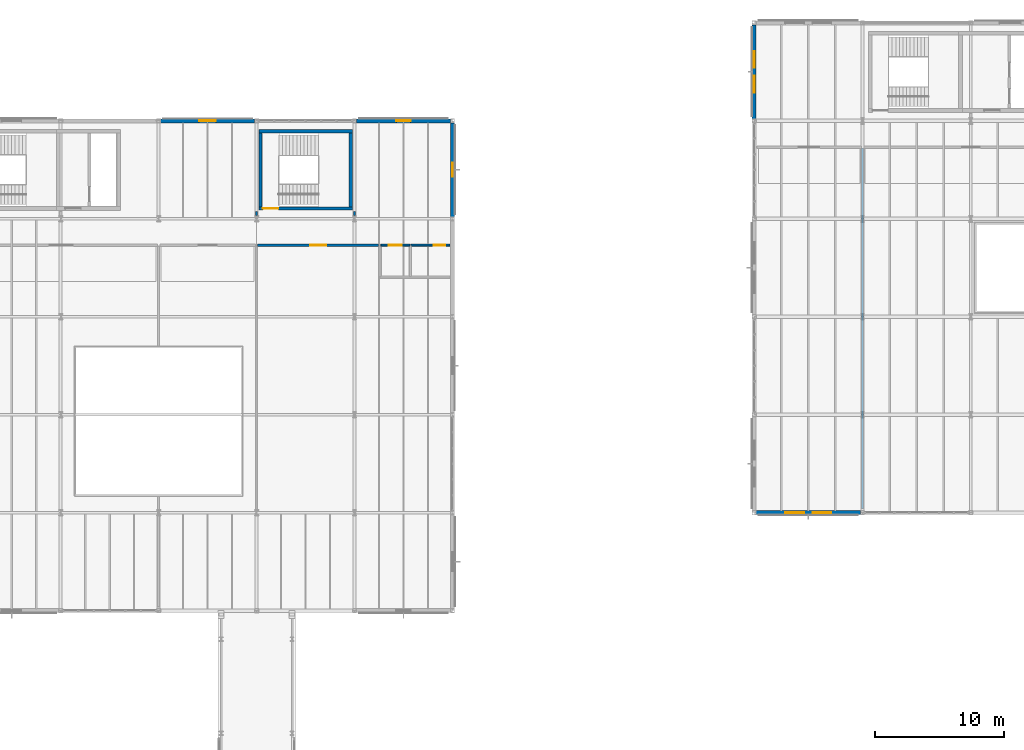
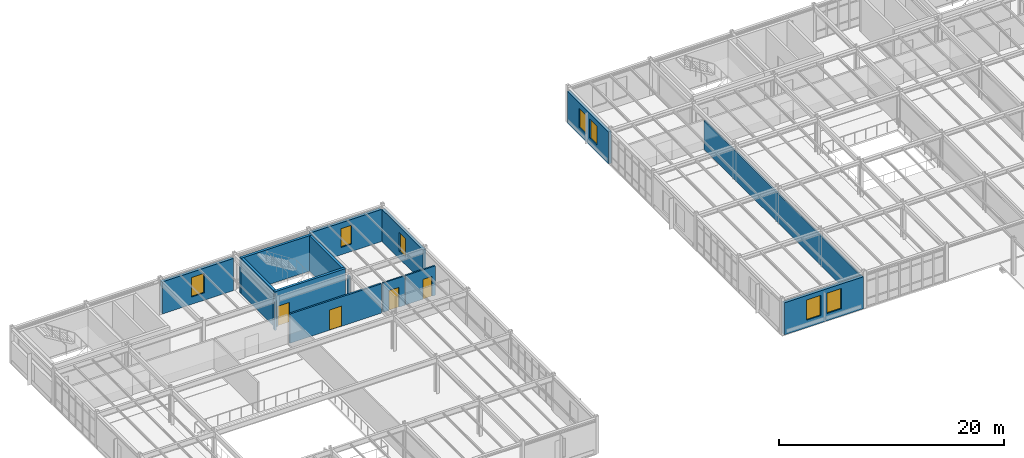
# One storey, part 138 of 165: 15 walls, 7 windows, 4 doors, 11 openings.
"""IFC4 building model written with IfcOpenShell, lengths in metres."""

from ifc_helpers import new_model, si_unit, direction, frame, frame_2d, origin, place, context, subcontext, project, spatial, rectangle, extrude, material, layer, layer_set, type_object, element, fill, save


model = new_model("IFC4")

# Units and contexts
model_context = context("Model", 3, precision=1e-05, world=origin(), true_north=direction((0.0, 1.0)))
body_context = subcontext(model_context, "Body", "Model", "MODEL_VIEW")
ifc_project = project(units=[si_unit("LENGTHUNIT", "METRE"), si_unit("AREAUNIT", "SQUARE_METRE"), si_unit("VOLUMEUNIT", "CUBIC_METRE"), si_unit("PLANEANGLEUNIT", "RADIAN"), si_unit("MASSUNIT", "GRAM", prefix="KILO")], contexts=[model_context])

# Site, building, storey
site_placement = place(None, origin())
site = spatial("IfcSite", under=ifc_project, at=site_placement, CompositionType="ELEMENT")
building_placement = place(site_placement, origin())
building = spatial("IfcBuilding", under=site, at=building_placement, Name="Montecoro Central Library", CompositionType="ELEMENT")
storey_placement = place(building_placement, frame((0.0, 0.0, 5.10009765625)))
storey = spatial("IfcBuildingStorey", under=building, at=storey_placement, Name="L01", CompositionType="ELEMENT", Elevation=5.10009765625)

# Wall, openings, windows
ifc_material_1 = material(Name="Roman travertine stone clad concrete C35/45", Category="masonry")
ifc_layer_1 = layer(ifc_material_1, 0.31005859375)
ifc_layer_set_1 = layer_set([ifc_layer_1], Name="Roman travertine stone clad concrete C35/45")
wall_type_1 = type_object("IfcWallType", Name="EW-TRV-310", PredefinedType="SOLIDWALL", material=ifc_layer_set_1)
wall_1_placement = place(storey_placement, frame((66.552978515625, 81.0, 0.0), z_axis=(0.0, 0.0, 1.0), x_axis=(1.0, 0.0, 0.0)))
wall_1 = element("IfcWall", 1, at=wall_1_placement, inside=storey, type_object=wall_type_1, Name="V2-L01-EW-S0", PredefinedType="SOLIDWALL", context=body_context, shape_type="SweptSolid", body=[
    extrude(rectangle(XDim=8.093994140625, YDim=0.31005859375, at=frame_2d((4.046875, 0.0))), origin(), (0.0, 0.0, 1.0), 3.47998046875),
])
opening_1_placement = place(wall_1_placement, frame((2.27197265625, 0.0, 0.800048828125)))
opening_1 = element("IfcOpeningElement", 2, at=opening_1_placement, cuts=wall_1, Name="Opening WN-07", PredefinedType="OPENING", context=body_context, shape_type="SweptSolid", body=[
    extrude(rectangle(XDim=1.449951171875, YDim=2.199951171875, at=frame_2d((0.72509765625, 1.10009765625))), frame((0.0, 0.1650390625, 0.0), z_axis=(0.0, -1.0, 0.0), x_axis=(1.0, 0.0, 0.0)), (0.0, 0.0, 1.0), 0.330078125),
])
opening_2_placement = place(wall_1_placement, frame((4.3720703125, 0.0, 0.800048828125)))
opening_2 = element("IfcOpeningElement", 3, at=opening_2_placement, cuts=wall_1, Name="Opening WN-07", PredefinedType="OPENING", context=body_context, shape_type="SweptSolid", body=[
    extrude(rectangle(XDim=1.449951171875, YDim=2.199951171875, at=frame_2d((0.72509765625, 1.10009765625))), frame((0.0, 0.1650390625, 0.0), z_axis=(0.0, -1.0, 0.0), x_axis=(1.0, 0.0, 0.0)), (0.0, 0.0, 1.0), 0.330078125),
])
ifc_material_2 = material(Name="Laminated low-E double glazing", Category="glass")
window_type_1 = type_object("IfcWindowType", Name="WN-RDG-145", PartitioningType="SINGLE_PANEL", PredefinedType="WINDOW", material=ifc_material_2)
window_1_placement = place(opening_1_placement, origin())
window_1 = element("IfcWindow", 4, at=window_1_placement, inside=storey, type_object=window_type_1, Name="V2-L01-WN-S0-1", OverallHeight=2.199951171875, OverallWidth=1.449951171875, PartitioningType="SINGLE_PANEL", PredefinedType="WINDOW", context=body_context, shape_type="SweptSolid", body=[
    extrude(rectangle(XDim=1.449951171875, YDim=2.199951171875, at=frame_2d((0.72509765625, 1.10009765625))), frame((0.0, 0.030029296875, 0.0), z_axis=(0.0, -1.0, 0.0), x_axis=(1.0, 0.0, 0.0)), (0.0, 0.0, 1.0), 0.06005859375),
])
fill(opening_1, window_1)
window_2_placement = place(opening_2_placement, origin())
window_2 = element("IfcWindow", 5, at=window_2_placement, inside=storey, type_object=window_type_1, Name="V2-L01-WN-S0-2", OverallHeight=2.199951171875, OverallWidth=1.449951171875, PartitioningType="SINGLE_PANEL", PredefinedType="WINDOW", context=body_context, shape_type="SweptSolid", body=[
    extrude(rectangle(XDim=1.449951171875, YDim=2.199951171875, at=frame_2d((0.72509765625, 1.10009765625))), frame((0.0, 0.030029296875, 0.0), z_axis=(0.0, -1.0, 0.0), x_axis=(1.0, 0.0, 0.0)), (0.0, 0.0, 1.0), 0.06005859375),
])
fill(opening_2, window_2)

wall_2_placement = place(storey_placement, frame((66.39990234375, 118.846923828125, 0.0), z_axis=(0.0, 0.0, 1.0), x_axis=(0.0, -1.0, 0.0)))
wall_2 = element("IfcWall", 6, at=wall_2_placement, inside=storey, type_object=wall_type_1, Name="V2-L01-EW-W4", PredefinedType="SOLIDWALL", context=body_context, shape_type="SweptSolid", body=[
    extrude(rectangle(XDim=7.2939453125, YDim=0.31005859375, at=frame_2d((3.64697265625, 0.0))), origin(), (0.0, 0.0, 1.0), 3.47998046875),
])
opening_3_placement = place(wall_2_placement, frame((2.0419921875, 0.0, 0.800048828125)))
opening_3 = element("IfcOpeningElement", 7, at=opening_3_placement, cuts=wall_2, Name="Opening WN-23", PredefinedType="OPENING", context=body_context, shape_type="SweptSolid", body=[
    extrude(rectangle(XDim=1.280029296875, YDim=2.080078125, at=frame_2d((0.64013671875, 1.0400390625))), frame((0.0, 0.1650390625, 0.0), z_axis=(0.0, -1.0, 0.0), x_axis=(1.0, 0.0, 0.0)), (0.0, 0.0, 1.0), 0.330078125),
])
opening_4_placement = place(wall_2_placement, frame((3.971923828125, 0.0, 0.800048828125)))
opening_4 = element("IfcOpeningElement", 8, at=opening_4_placement, cuts=wall_2, Name="Opening WN-23", PredefinedType="OPENING", context=body_context, shape_type="SweptSolid", body=[
    extrude(rectangle(XDim=1.280029296875, YDim=2.080078125, at=frame_2d((0.64013671875, 1.0400390625))), frame((0.0, 0.1650390625, 0.0), z_axis=(0.0, -1.0, 0.0), x_axis=(1.0, 0.0, 0.0)), (0.0, 0.0, 1.0), 0.330078125),
])
window_type_2 = type_object("IfcWindowType", Name="WN-RDG-128", PartitioningType="SINGLE_PANEL", PredefinedType="WINDOW", material=ifc_material_2)
window_3_placement = place(opening_3_placement, origin())
window_3 = element("IfcWindow", 9, at=window_3_placement, inside=storey, type_object=window_type_2, Name="V2-L01-WN-W4-1", OverallHeight=2.080078125, OverallWidth=1.280029296875, PartitioningType="SINGLE_PANEL", PredefinedType="WINDOW", context=body_context, shape_type="SweptSolid", body=[
    extrude(rectangle(XDim=1.280029296875, YDim=2.080078125, at=frame_2d((0.64013671875, 1.0400390625))), frame((0.0, 0.030029296875, 0.0), z_axis=(0.0, -1.0, 0.0), x_axis=(1.0, 0.0, 0.0)), (0.0, 0.0, 1.0), 0.06005859375),
])
fill(opening_3, window_3)
window_4_placement = place(opening_4_placement, origin())
window_4 = element("IfcWindow", 10, at=window_4_placement, inside=storey, type_object=window_type_2, Name="V2-L01-WN-W4-2", OverallHeight=2.080078125, OverallWidth=1.280029296875, PartitioningType="SINGLE_PANEL", PredefinedType="WINDOW", context=body_context, shape_type="SweptSolid", body=[
    extrude(rectangle(XDim=1.280029296875, YDim=2.080078125, at=frame_2d((0.64013671875, 1.0400390625))), frame((0.0, 0.030029296875, 0.0), z_axis=(0.0, -1.0, 0.0), x_axis=(1.0, 0.0, 0.0)), (0.0, 0.0, 1.0), 0.06005859375),
])
fill(opening_4, window_4)

# Wall, opening, window
wall_3_placement = place(storey_placement, frame((43.0, 103.952880859375, 0.0), z_axis=(0.0, 0.0, 1.0), x_axis=(0.0, 1.0, 0.0)))
wall_3 = element("IfcWall", 11, at=wall_3_placement, inside=storey, type_object=wall_type_1, Name="V4-L01-EW-E4", PredefinedType="SOLIDWALL", context=body_context, shape_type="SweptSolid", body=[
    extrude(rectangle(XDim=7.294189453125, YDim=0.31005859375, at=frame_2d((3.64697265625, 0.0))), origin(), (0.0, 0.0, 1.0), 3.47998046875),
])
opening_5_placement = place(wall_3_placement, frame((3.096923828125, 0.0, 0.800048828125)))
opening_5 = element("IfcOpeningElement", 12, at=opening_5_placement, cuts=wall_3, Name="Opening WN-14", PredefinedType="OPENING", context=body_context, shape_type="SweptSolid", body=[
    extrude(rectangle(XDim=1.10009765625, YDim=2.050048828125, at=frame_2d((0.550048828125, 1.02490234375))), frame((0.0, 0.1650390625, 0.0), z_axis=(0.0, -1.0, 0.0), x_axis=(1.0, 0.0, 0.0)), (0.0, 0.0, 1.0), 0.330078125),
])
ifc_material_3 = material(Name="Acoustic laminated double glazing", Category="glass")
window_type_3 = type_object("IfcWindowType", Name="WN-AUD-110", PartitioningType="SINGLE_PANEL", PredefinedType="WINDOW", material=ifc_material_3)
window_5_placement = place(opening_5_placement, origin())
window_5 = element("IfcWindow", 13, at=window_5_placement, inside=storey, type_object=window_type_3, Name="V4-L01-WN-E4-1", OverallHeight=2.050048828125, OverallWidth=1.10009765625, PartitioningType="SINGLE_PANEL", PredefinedType="WINDOW", context=body_context, shape_type="SweptSolid", body=[
    extrude(rectangle(XDim=1.10009765625, YDim=2.050048828125, at=frame_2d((0.550048828125, 1.02490234375))), frame((0.0, 0.030029296875, 0.0), z_axis=(0.0, -1.0, 0.0), x_axis=(1.0, 0.0, 0.0)), (0.0, 0.0, 1.0), 0.06005859375),
])
fill(opening_5, window_5)

wall_4_placement = place(storey_placement, frame((42.846923828125, 111.39990234375, 0.0), z_axis=(0.0, 0.0, 1.0), x_axis=(-1.0, 0.0, 0.0)))
wall_4 = element("IfcWall", 14, at=wall_4_placement, inside=storey, type_object=wall_type_1, Name="V4-L01-EW-N4", PredefinedType="SOLIDWALL", context=body_context, shape_type="SweptSolid", body=[
    extrude(rectangle(XDim=7.2939453125, YDim=0.31005859375, at=frame_2d((3.64697265625, 0.0))), origin(), (0.0, 0.0, 1.0), 3.47998046875),
])
opening_6_placement = place(wall_4_placement, frame((3.096923828125, 0.0, 0.800048828125)))
opening_6 = element("IfcOpeningElement", 15, at=opening_6_placement, cuts=wall_4, Name="Opening WN-14", PredefinedType="OPENING", context=body_context, shape_type="SweptSolid", body=[
    extrude(rectangle(XDim=1.10009765625, YDim=2.050048828125, at=frame_2d((0.550048828125, 1.02490234375))), frame((0.0, 0.1650390625, 0.0), z_axis=(0.0, -1.0, 0.0), x_axis=(1.0, 0.0, 0.0)), (0.0, 0.0, 1.0), 0.330078125),
])
window_6_placement = place(opening_6_placement, origin())
window_6 = element("IfcWindow", 16, at=window_6_placement, inside=storey, type_object=window_type_3, Name="V4-L01-WN-N4-1", OverallHeight=2.050048828125, OverallWidth=1.10009765625, PartitioningType="SINGLE_PANEL", PredefinedType="WINDOW", context=body_context, shape_type="SweptSolid", body=[
    extrude(rectangle(XDim=1.10009765625, YDim=2.050048828125, at=frame_2d((0.550048828125, 1.02490234375))), frame((0.0, 0.030029296875, 0.0), z_axis=(0.0, -1.0, 0.0), x_axis=(1.0, 0.0, 0.0)), (0.0, 0.0, 1.0), 0.06005859375),
])
fill(opening_6, window_6)

wall_5_placement = place(storey_placement, frame((27.64697265625, 111.39990234375, 0.0), z_axis=(0.0, 0.0, 1.0), x_axis=(-1.0, 0.0, 0.0)))
wall_5 = element("IfcWall", 17, at=wall_5_placement, inside=storey, type_object=wall_type_1, Name="V4-L01-EW-N2", PredefinedType="SOLIDWALL", context=body_context, shape_type="SweptSolid", body=[
    extrude(rectangle(XDim=7.2939453125, YDim=0.31005859375, at=frame_2d((3.64697265625, 0.0))), origin(), (0.0, 0.0, 1.0), 3.47998046875),
])
opening_7_placement = place(wall_5_placement, frame((2.9970703125, 0.0, 0.800048828125)))
opening_7 = element("IfcOpeningElement", 18, at=opening_7_placement, cuts=wall_5, Name="Opening WN-15", PredefinedType="OPENING", context=body_context, shape_type="SweptSolid", body=[
    extrude(rectangle(XDim=1.300048828125, YDim=2.1201171875, at=frame_2d((0.64990234375, 1.06005859375))), frame((0.0, 0.1650390625, 0.0), z_axis=(0.0, -1.0, 0.0), x_axis=(1.0, 0.0, 0.0)), (0.0, 0.0, 1.0), 0.330078125),
])
window_type_4 = type_object("IfcWindowType", Name="WN-AUD-130", PartitioningType="SINGLE_PANEL", PredefinedType="WINDOW", material=ifc_material_3)
window_7_placement = place(opening_7_placement, origin())
window_7 = element("IfcWindow", 19, at=window_7_placement, inside=storey, type_object=window_type_4, Name="V4-L01-WN-N2-1", OverallHeight=2.1201171875, OverallWidth=1.300048828125, PartitioningType="SINGLE_PANEL", PredefinedType="WINDOW", context=body_context, shape_type="SweptSolid", body=[
    extrude(rectangle(XDim=1.300048828125, YDim=2.1201171875, at=frame_2d((0.64990234375, 1.06005859375))), frame((0.0, 0.030029296875, 0.0), z_axis=(0.0, -1.0, 0.0), x_axis=(1.0, 0.0, 0.0)), (0.0, 0.0, 1.0), 0.06005859375),
])
fill(opening_7, window_7)

# Wall, opening, door
ifc_material_4 = material(Name="Gypsum fire-rated partition")
ifc_layer_2 = layer(ifc_material_4, 0.179931640625)
ifc_layer_set_2 = layer_set([ifc_layer_2], Name="Gypsum fire-rated partition")
wall_type_2 = type_object("IfcWallType", Name="IW-COR-180", PredefinedType="PARTITIONING", material=ifc_layer_set_2)
wall_6_placement = place(storey_placement, frame((27.889892578125, 101.75, 0.0), z_axis=(0.0, 0.0, 1.0), x_axis=(1.0, 0.0, 0.0)))
wall_6 = element("IfcWall", 20, at=wall_6_placement, inside=storey, type_object=wall_type_2, Name="CORW-V4-L01-03", PredefinedType="PARTITIONING", context=body_context, shape_type="SweptSolid", body=[
    extrude(rectangle(XDim=9.3701171875, YDim=0.179931640625, at=frame_2d((4.68505859375, 0.0))), origin(), (0.0, 0.0, 1.0), 3.179931640625),
])
opening_8_placement = place(wall_6_placement, frame((4.054931640625, 0.0, 0.0)))
opening_8 = element("IfcOpeningElement", 21, at=opening_8_placement, cuts=wall_6, Name="Opening ID-09", PredefinedType="OPENING", context=body_context, shape_type="SweptSolid", body=[
    extrude(rectangle(XDim=1.260009765625, YDim=2.199951171875, at=frame_2d((0.6298828125, 1.10009765625))), frame((0.0, 0.099853515625, 0.0), z_axis=(0.0, -1.0, 0.0), x_axis=(1.0, 0.0, 0.0)), (0.0, 0.0, 1.0), 0.199951171875),
])
ifc_material_5 = material(Name="Solid oak and fire-rated steel door", Category="steel")
door_type_1 = type_object("IfcDoorType", Name="ID-RDG-126", OperationType="NOTDEFINED", PredefinedType="DOOR", material=ifc_material_5)
door_1_placement = place(opening_8_placement, origin())
door_1 = element("IfcDoor", 22, at=door_1_placement, inside=storey, type_object=door_type_1, Name="DR-SP-V4-L01-R3P1", OperationType="SINGLE_SWING_RIGHT", OverallHeight=2.199951171875, OverallWidth=1.260009765625, PredefinedType="DOOR", context=body_context, shape_type="SweptSolid", body=[
    extrude(rectangle(XDim=1.260009765625, YDim=2.199951171875, at=frame_2d((0.6298828125, 1.10009765625))), frame((0.0, 0.02490234375, 0.0), z_axis=(0.0, -1.0, 0.0), x_axis=(1.0, 0.0, 0.0)), (0.0, 0.0, 1.0), 0.050048828125),
])
fill(opening_8, door_1)

# Walls
for number, where, z_axis, x_axis, name in (
    (23, (27.800048828125, 104.0400390625, 0.0), (0.0, 0.0, 1.0), (0.0, 1.0, 0.0), "PIL-V4-L01-2"),
    (24, (35.39990234375, 104.0400390625, 0.0), (0.0, 0.0, 1.0), (0.0, 1.0, 0.0), "PIL-V4-L01-3"),
):
    element("IfcWall", number, at=place(storey_placement, frame(where, z_axis=z_axis, x_axis=x_axis)), inside=storey, type_object=wall_type_2, Name=name, PredefinedType="PARTITIONING", context=body_context, shape_type="SweptSolid", body=[
        extrude(rectangle(XDim=0.320068359375, YDim=0.179931640625, at=frame_2d((0.16015625, 0.0))), origin(), (0.0, 0.0, 1.0), 3.179931640625),
    ])
ifc_material_6 = material(Name="Gypsum metal-stud partition")
ifc_layer_3 = layer(ifc_material_6, 0.139892578125)
ifc_layer_set_3 = layer_set([ifc_layer_3], Name="Gypsum metal-stud partition")
wall_type_3 = type_object("IfcWallType", Name="IW-PRT-140", PredefinedType="PARTITIONING", material=ifc_layer_set_3)
wall_7_placement = place(storey_placement, frame((74.800048828125, 81.320068359375, 0.0), z_axis=(0.0, 0.0, 1.0), x_axis=(0.0, 1.0, 0.0)))
element("IfcWall", 25, at=wall_7_placement, inside=storey, type_object=wall_type_3, Name="DIVW-V2-L01-01-1", PredefinedType="PARTITIONING", context=body_context, shape_type="SweptSolid", body=[
    extrude(rectangle(XDim=27.93994140625, YDim=0.139892578125, at=frame_2d((13.969970703125, 0.0))), origin(), (0.0, 0.0, 1.0), 3.179931640625),
])

# Wall, opening, door
ifc_material_7 = material(Name="Concrete C35/45", Category="concrete")
ifc_layer_4 = layer(ifc_material_7, 0.260009765625)
ifc_layer_set_4 = layer_set([ifc_layer_4], Name="Concrete C35/45")
wall_type_4 = type_object("IfcWallType", Name="IW-SHR-260", PredefinedType="SHEAR", material=ifc_layer_set_4)
wall_8_placement = place(storey_placement, frame((27.969970703125, 104.60009765625, 0.0), z_axis=(0.0, 0.0, 1.0), x_axis=(1.0, 0.0, 0.0)))
wall_8 = element("IfcWall", 26, at=wall_8_placement, inside=storey, type_object=wall_type_4, Name="C9-L01-WS", PredefinedType="SHEAR", context=body_context, shape_type="SweptSolid", body=[
    extrude(rectangle(XDim=7.260009765625, YDim=0.260009765625, at=frame_2d((3.6298828125, 0.0))), origin(), (0.0, 0.0, 1.0), 3.844970703125),
])
opening_9_placement = place(wall_8_placement, frame((0.31005859375, 0.0, 0.0)))
opening_9 = element("IfcOpeningElement", 27, at=opening_9_placement, cuts=wall_8, Name="Opening ID-01", PredefinedType="OPENING", context=body_context, shape_type="SweptSolid", body=[
    extrude(rectangle(XDim=1.219970703125, YDim=2.179931640625, at=frame_2d((0.60986328125, 1.08984375))), frame((0.0, 0.139892578125, 0.0), z_axis=(0.0, -1.0, 0.0), x_axis=(1.0, 0.0, 0.0)), (0.0, 0.0, 1.0), 0.280029296875),
])
door_type_2 = type_object("IfcDoorType", Name="ID-STR-140", OperationType="NOTDEFINED", PredefinedType="DOOR", material=ifc_material_5)
door_2_placement = place(opening_9_placement, origin())
door_2 = element("IfcDoor", 28, at=door_2_placement, inside=storey, type_object=door_type_2, Name="C9-L01-DSTR", OperationType="SINGLE_SWING_LEFT", OverallHeight=2.179931640625, OverallWidth=1.219970703125, PredefinedType="DOOR", context=body_context, shape_type="SweptSolid", body=[
    extrude(rectangle(XDim=1.219970703125, YDim=2.179931640625, at=frame_2d((0.60986328125, 1.08984375))), frame((0.0, 0.02490234375, 0.0), z_axis=(0.0, -1.0, 0.0), x_axis=(1.0, 0.0, 0.0)), (0.0, 0.0, 1.0), 0.050048828125),
])
fill(opening_9, door_2)

# Walls
wall_9_placement = place(storey_placement, frame((27.969970703125, 110.60009765625, 0.0), z_axis=(0.0, 0.0, 1.0), x_axis=(1.0, 0.0, 0.0)))
element("IfcWall", 29, at=wall_9_placement, inside=storey, type_object=wall_type_4, Name="C9-L01-WN", PredefinedType="SHEAR", context=body_context, shape_type="SweptSolid", body=[
    extrude(rectangle(XDim=7.260009765625, YDim=0.260009765625, at=frame_2d((3.6298828125, 0.0))), origin(), (0.0, 0.0, 1.0), 3.844970703125),
])
for number, where, z_axis, x_axis, name in (
    (30, (28.10009765625, 104.72998046875, 0.0), (0.0, 0.0, 1.0), (0.0, 1.0, 0.0), "C9-L01-WW"),
    (31, (35.10009765625, 104.72998046875, 0.0), (0.0, 0.0, 1.0), (0.0, 1.0, 0.0), "C9-L01-WE"),
):
    element("IfcWall", number, at=place(storey_placement, frame(where, z_axis=z_axis, x_axis=x_axis)), inside=storey, type_object=wall_type_4, Name=name, PredefinedType="SHEAR", context=body_context, shape_type="SweptSolid", body=[
        extrude(rectangle(XDim=5.739990234375, YDim=0.260009765625, at=frame_2d((2.8701171875, 0.0))), origin(), (0.0, 0.0, 1.0), 3.844970703125),
    ])

# Wall, opening, door
ifc_material_8 = material(Name="Moisture-resistant ceramic-tiled partition")
ifc_layer_5 = layer(ifc_material_8, 0.14990234375)
ifc_layer_set_5 = layer_set([ifc_layer_5], Name="Moisture-resistant ceramic-tiled partition")
wall_type_5 = type_object("IfcWallType", Name="IW-WET-150", PredefinedType="PARTITIONING", material=ifc_layer_set_5)
wall_10_placement = place(storey_placement, frame((37.43994140625, 101.75, 0.0), z_axis=(0.0, 0.0, 1.0), x_axis=(1.0, 0.0, 0.0)))
wall_10 = element("IfcWall", 32, at=wall_10_placement, inside=storey, type_object=wall_type_5, Name="WC-V4-L01-WFA", PredefinedType="PARTITIONING", context=body_context, shape_type="SweptSolid", body=[
    extrude(rectangle(XDim=2.25, YDim=0.14990234375, at=frame_2d((1.125, 0.0))), origin(), (0.0, 0.0, 1.0), 3.179931640625),
])
opening_10_placement = place(wall_10_placement, frame((0.625, 0.0, 0.0)))
opening_10 = element("IfcOpeningElement", 33, at=opening_10_placement, cuts=wall_10, Name="Opening ID-15", PredefinedType="OPENING", context=body_context, shape_type="SweptSolid", body=[
    extrude(rectangle(XDim=1.0, YDim=2.14990234375, at=frame_2d((0.5, 1.074951171875))), frame((0.0, 0.0849609375, 0.0), z_axis=(0.0, -1.0, 0.0), x_axis=(1.0, 0.0, 0.0)), (0.0, 0.0, 1.0), 0.169921875),
])
door_type_3 = type_object("IfcDoorType", Name="ID-AWC-100", OperationType="NOTDEFINED", PredefinedType="DOOR", material=ifc_material_5)
door_3_placement = place(opening_10_placement, origin())
door_3 = element("IfcDoor", 34, at=door_3_placement, inside=storey, type_object=door_type_3, Name="DR-SP-V4-L01-AWC", OperationType="SINGLE_SWING_LEFT", OverallHeight=2.14990234375, OverallWidth=1.0, PredefinedType="DOOR", context=body_context, shape_type="SweptSolid", body=[
    extrude(rectangle(XDim=1.0, YDim=2.14990234375, at=frame_2d((0.5, 1.074951171875))), frame((0.0, 0.02490234375, 0.0), z_axis=(0.0, -1.0, 0.0), x_axis=(1.0, 0.0, 0.0)), (0.0, 0.0, 1.0), 0.050048828125),
])
fill(opening_10, door_3)

wall_11_placement = place(storey_placement, frame((39.77001953125, 101.75, 0.0), z_axis=(0.0, 0.0, 1.0), x_axis=(1.0, 0.0, 0.0)))
wall_11 = element("IfcWall", 35, at=wall_11_placement, inside=storey, type_object=wall_type_5, Name="WC-V4-L01-WFP", PredefinedType="PARTITIONING", context=body_context, shape_type="SweptSolid", body=[
    extrude(rectangle(XDim=3.030029296875, YDim=0.14990234375, at=frame_2d((1.51513671875, 0.0))), origin(), (0.0, 0.0, 1.0), 3.179931640625),
])
opening_11_placement = place(wall_11_placement, frame((1.780029296875, 0.0, 0.0)))
opening_11 = element("IfcOpeningElement", 36, at=opening_11_placement, cuts=wall_11, Name="Opening ID-16", PredefinedType="OPENING", context=body_context, shape_type="SweptSolid", body=[
    extrude(rectangle(XDim=0.89990234375, YDim=2.14990234375, at=frame_2d((0.449951171875, 1.074951171875))), frame((0.0, 0.0849609375, 0.0), z_axis=(0.0, -1.0, 0.0), x_axis=(1.0, 0.0, 0.0)), (0.0, 0.0, 1.0), 0.169921875),
])
door_type_4 = type_object("IfcDoorType", Name="ID-WC-090", OperationType="NOTDEFINED", PredefinedType="DOOR", material=ifc_material_5)
door_4_placement = place(opening_11_placement, origin())
door_4 = element("IfcDoor", 37, at=door_4_placement, inside=storey, type_object=door_type_4, Name="DR-SP-V4-L01-PWC", OperationType="SINGLE_SWING_RIGHT", OverallHeight=2.14990234375, OverallWidth=0.89990234375, PredefinedType="DOOR", context=body_context, shape_type="SweptSolid", body=[
    extrude(rectangle(XDim=0.89990234375, YDim=2.14990234375, at=frame_2d((0.449951171875, 1.074951171875))), frame((0.0, 0.02490234375, 0.0), z_axis=(0.0, -1.0, 0.0), x_axis=(1.0, 0.0, 0.0)), (0.0, 0.0, 1.0), 0.050048828125),
])
fill(opening_11, door_4)

save(model, "model.ifc")
